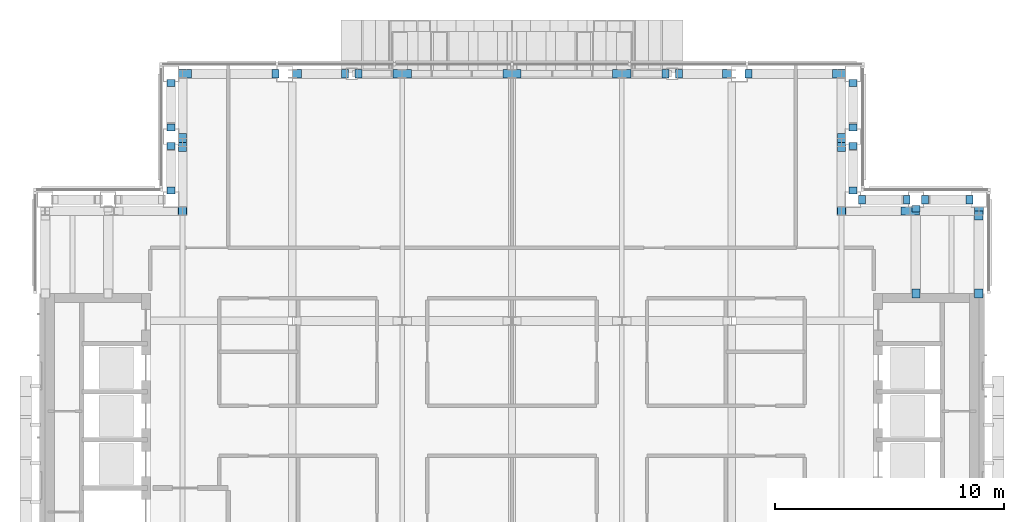
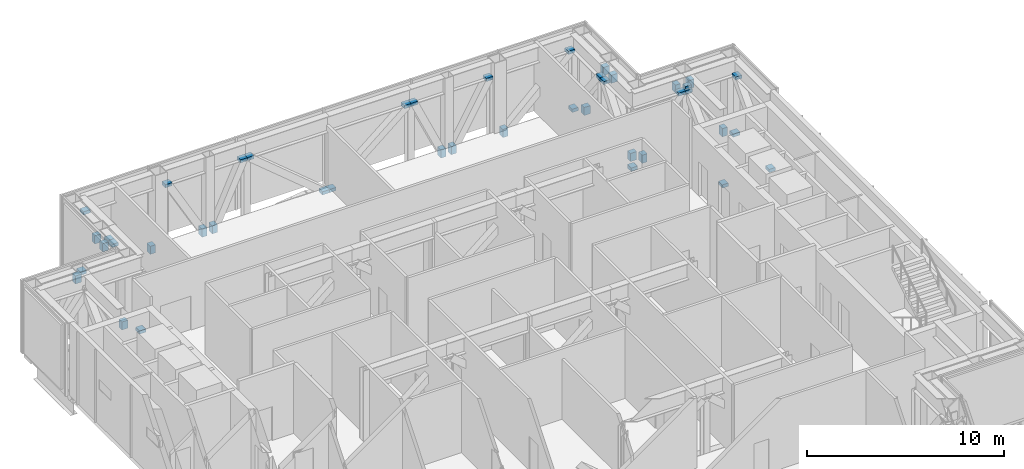
# One storey, part 15 of 26: 45 discrete accessories.
"""IFC4 building model written with IfcOpenShell, lengths in metres."""

from ifc_helpers import new_model, si_unit, direction, frame, origin, origin_2d, place, context, subcontext, project, spatial, rectangle, extrude, material, type_object, element, save


model = new_model("IFC4")

# Units and contexts
model_context = context("Model", 3, precision=1e-05, world=origin(), true_north=direction((0.0, 1.0)))
body_context = subcontext(model_context, "Body", "Model", "MODEL_VIEW")
ifc_project = project(units=[si_unit("LENGTHUNIT", "METRE"), si_unit("AREAUNIT", "SQUARE_METRE"), si_unit("VOLUMEUNIT", "CUBIC_METRE"), si_unit("PLANEANGLEUNIT", "RADIAN"), si_unit("MASSUNIT", "GRAM", prefix="KILO")], contexts=[model_context])

# Site, building, storey
site_placement = place(None, origin())
site = spatial("IfcSite", under=ifc_project, at=site_placement, CompositionType="ELEMENT")
building_placement = place(site_placement, origin())
building = spatial("IfcBuilding", under=site, at=building_placement, Name="Cobrizo Arcos Hotel Tower", CompositionType="ELEMENT")
storey_placement = place(building_placement, frame((0.0, 0.0, 236.5)))
storey = spatial("IfcBuildingStorey", under=building, at=storey_placement, Name="L62", CompositionType="ELEMENT", Elevation=236.5)

# Discrete accessories
ifc_material = material(Name="Steel ASTM A572 Grade 50", Category="steel")
discrete_accessory_type_1 = type_object("IfcDiscreteAccessoryType", Name="GP-3 truss end block 300x360x500", PredefinedType="BRACKET", material=ifc_material)
for number, where, z_axis, x_axis, name in (
    (1, (20.0, 14.89990234375, -0.550048828125), (0.0, 0.0, 1.0), (-1.0, 0.0, 0.0), "Truss end block"),
    (2, (18.050048828125, 14.89990234375, 3.109375), (0.0, 0.0, 1.0), (1.0, 0.0, 0.0), "Truss end block"),
    (3, (17.25, 14.89990234375, 3.109375), (0.0, 0.0, 1.0), (-1.0, 0.0, 0.0), "Truss end block"),
    (4, (15.300048828125, 14.89990234375, -0.550048828125), (0.0, 0.0, 1.0), (1.0, 0.0, 0.0), "Truss end block"),
    (5, (14.89990234375, 15.300048828125, -0.550048828125), (0.0, 0.0, 1.0), (0.0, 1.0, 0.0), "Truss end block"),
    (6, (14.89990234375, 17.25, 3.109375), (0.0, 0.0, 1.0), (0.0, -1.0, 0.0), "Truss end block"),
    (7, (14.89990234375, 18.050048828125, 3.109375), (0.0, 0.0, 1.0), (0.0, 1.0, 0.0), "Truss end block"),
    (8, (14.89990234375, 20.0, -0.550048828125), (0.0, 0.0, 1.0), (0.0, -1.0, 0.0), "Truss end block"),
    (9, (10.3330078125, 20.39990234375, -0.550048828125), (0.0, 0.0, 1.0), (1.0, 0.0, 0.0), "Truss end block"),
    (10, (7.300048828125, 20.39990234375, -0.550048828125), (0.0, 0.0, 1.0), (1.0, 0.0, 0.0), "Truss end block"),
    (11, (6.699951171875, 20.39990234375, -0.550048828125), (0.0, 0.0, 1.0), (-1.0, 0.0, 0.0), "Truss end block"),
    (12, (-6.699951171875, 20.39990234375, -0.550048828125), (0.0, 0.0, 1.0), (1.0, 0.0, 0.0), "Truss end block"),
    (13, (-7.300048828125, 20.39990234375, -0.550048828125), (0.0, 0.0, 1.0), (-1.0, 0.0, 0.0), "Truss end block"),
    (14, (-10.3330078125, 20.39990234375, -0.550048828125), (0.0, 0.0, 1.0), (-1.0, 0.0, 0.0), "Truss end block"),
    (15, (-14.89990234375, 20.0, -0.550048828125), (0.0, 0.0, 1.0), (0.0, -1.0, 0.0), "Truss end block"),
    (16, (-14.89990234375, 18.050048828125, 3.109375), (0.0, 0.0, 1.0), (0.0, 1.0, 0.0), "Truss end block"),
    (17, (-14.89990234375, 17.25, 3.109375), (0.0, 0.0, 1.0), (0.0, -1.0, 0.0), "Truss end block"),
    (18, (-14.89990234375, 15.300048828125, -0.550048828125), (0.0, 0.0, 1.0), (0.0, 1.0, 0.0), "Truss end block"),
    (19, (17.64990234375, 14.5, 3.109375), (0.0, 0.0, 1.0), (0.0, -1.0, 0.0), "Truss end block"),
):
    element("IfcDiscreteAccessory", number, at=place(storey_placement, frame(where, z_axis=z_axis, x_axis=x_axis)), inside=storey, type_object=discrete_accessory_type_1, Name=name, PredefinedType="BRACKET", context=body_context, shape_type="SweptSolid", body=[
        extrude(rectangle(XDim=0.300048828125, YDim=0.360107421875, at=origin_2d()), origin(), (0.0, 0.0, 1.0), 0.5),
    ])
discrete_accessory_type_2 = type_object("IfcDiscreteAccessoryType", Name="GP-4 truss chord plate 400x360x200", PredefinedType="BRACKET", material=ifc_material)
for number, where, z_axis, x_axis, name in (
    (20, (20.39990234375, 10.801025390625, -0.39990234375), (0.0, 0.0, 1.0), (0.0, 1.0, 0.0), "Truss chord plate"),
    (21, (20.39990234375, 14.199951171875, 3.25927734375), (0.0, 0.0, 1.0), (0.0, 1.0, 0.0), "Truss chord plate"),
    (22, (14.199951171875, 20.39990234375, 3.25927734375), (0.0, 0.0, 1.0), (-1.0, 0.0, 0.0), "Truss chord plate"),
    (23, (9.39990234375, 20.39990234375, 3.25927734375), (0.0, 0.0, 1.0), (-1.0, 0.0, 0.0), "Truss chord plate"),
    (24, (5.0, 20.39990234375, 3.25927734375), (0.0, 0.0, 1.0), (-1.0, 0.0, 0.0), "Truss chord plate"),
    (25, (4.60009765625, 20.39990234375, 3.25927734375), (0.0, 0.0, 1.0), (-1.0, 0.0, 0.0), "Truss chord plate"),
    (26, (0.199951171875, 20.39990234375, -0.39990234375), (0.0, 0.0, 1.0), (-1.0, 0.0, 0.0), "Truss chord plate"),
    (27, (-0.199951171875, 20.39990234375, -0.39990234375), (0.0, 0.0, 1.0), (-1.0, 0.0, 0.0), "Truss chord plate"),
    (28, (-4.60009765625, 20.39990234375, 3.25927734375), (0.0, 0.0, 1.0), (-1.0, 0.0, 0.0), "Truss chord plate"),
    (29, (-5.0, 20.39990234375, 3.25927734375), (0.0, 0.0, 1.0), (-1.0, 0.0, 0.0), "Truss chord plate"),
    (30, (-9.39990234375, 20.39990234375, 3.25927734375), (0.0, 0.0, 1.0), (-1.0, 0.0, 0.0), "Truss chord plate"),
    (31, (-14.199951171875, 20.39990234375, 3.25927734375), (0.0, 0.0, 1.0), (-1.0, 0.0, 0.0), "Truss chord plate"),
    (32, (20.39990234375, 14.39990234375, -0.39990234375), (0.0, 0.0, 1.0), (-1.0, 0.0, 0.0), "Truss chord plate"),
    (33, (17.60009765625, 14.39990234375, 3.25927734375), (0.0, 0.0, 1.0), (-1.0, 0.0, 0.0), "Truss chord plate"),
    (34, (17.199951171875, 14.39990234375, 3.25927734375), (0.0, 0.0, 1.0), (-1.0, 0.0, 0.0), "Truss chord plate"),
    (35, (14.39990234375, 14.39990234375, -0.39990234375), (0.0, 0.0, 1.0), (-1.0, 0.0, 0.0), "Truss chord plate"),
    (36, (14.39990234375, 14.39990234375, -0.39990234375), (0.0, 0.0, 1.0), (0.0, 1.0, 0.0), "Truss chord plate"),
    (37, (14.39990234375, 17.199951171875, 3.25927734375), (0.0, 0.0, 1.0), (0.0, 1.0, 0.0), "Truss chord plate"),
    (38, (14.39990234375, 17.60009765625, 3.25927734375), (0.0, 0.0, 1.0), (0.0, 1.0, 0.0), "Truss chord plate"),
    (39, (14.39990234375, 20.39990234375, -0.39990234375), (0.0, 0.0, 1.0), (0.0, 1.0, 0.0), "Truss chord plate"),
    (40, (-14.39990234375, 20.39990234375, -0.39990234375), (0.0, 0.0, 1.0), (0.0, -1.0, 0.0), "Truss chord plate"),
    (41, (-14.39990234375, 17.60009765625, 3.25927734375), (0.0, 0.0, 1.0), (0.0, -1.0, 0.0), "Truss chord plate"),
    (42, (-14.39990234375, 17.199951171875, 3.25927734375), (0.0, 0.0, 1.0), (0.0, -1.0, 0.0), "Truss chord plate"),
    (43, (-14.39990234375, 14.39990234375, -0.39990234375), (0.0, 0.0, 1.0), (0.0, -1.0, 0.0), "Truss chord plate"),
    (44, (-14.39990234375, 14.39990234375, -0.39990234375), (0.0, 0.0, 1.0), (-1.0, 0.0, 0.0), "Truss chord plate"),
    (45, (17.64990234375, 10.800048828125, -0.39990234375), (0.0, 0.0, 1.0), (0.0, 1.0, 0.0), "Truss chord plate"),
):
    element("IfcDiscreteAccessory", number, at=place(storey_placement, frame(where, z_axis=z_axis, x_axis=x_axis)), inside=storey, type_object=discrete_accessory_type_2, Name=name, PredefinedType="BRACKET", context=body_context, shape_type="SweptSolid", body=[
        extrude(rectangle(XDim=0.39990234375, YDim=0.360107421875, at=origin_2d()), origin(), (0.0, 0.0, 1.0), 0.199951171875),
    ])

save(model, "model.ifc")
